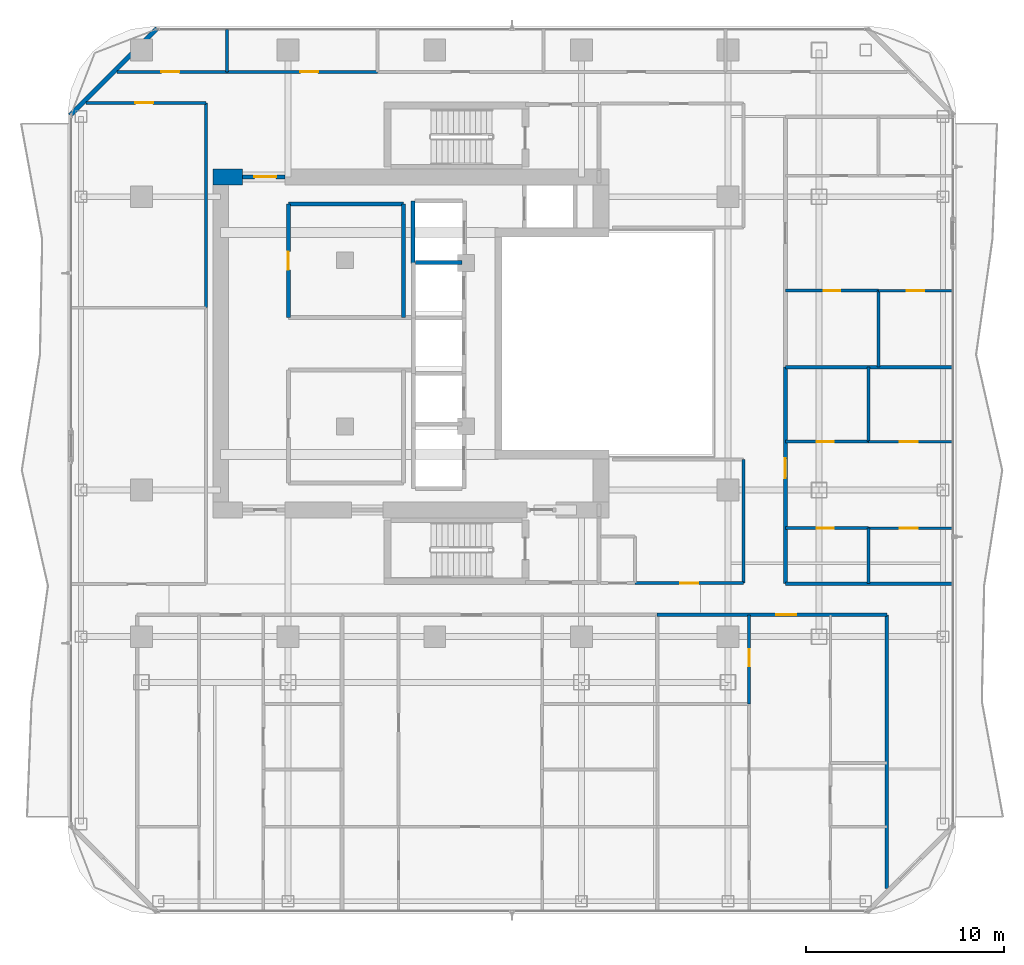
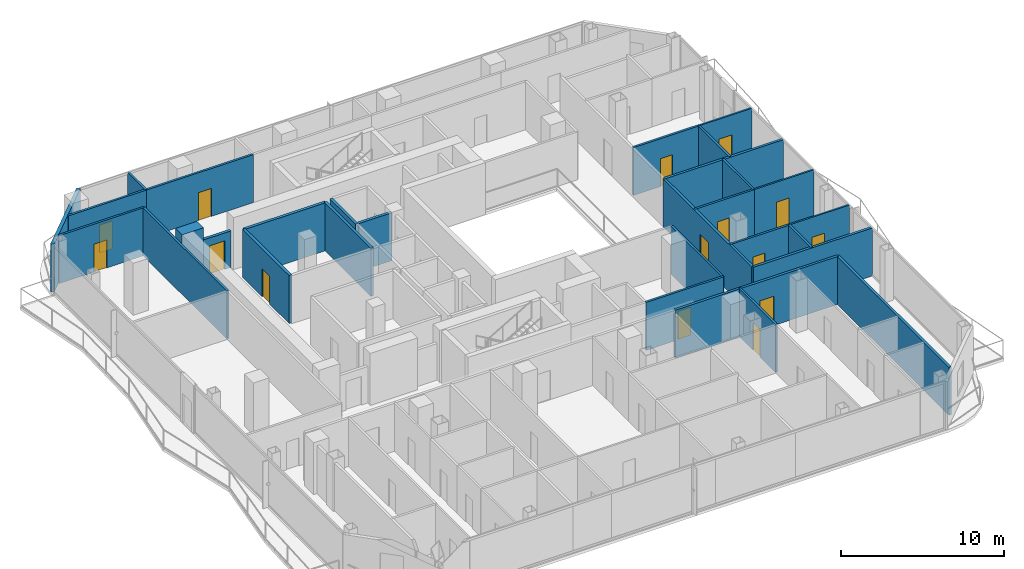
# One storey, part 22 of 27: 30 walls, 15 doors, 15 openings.
"""IFC4 building model written with IfcOpenShell, lengths in metres."""

from ifc_helpers import new_model, si_unit, direction, frame, frame_2d, origin, place, context, subcontext, project, spatial, rectangle, extrude, material, layer, layer_set, type_object, element, fill, save


model = new_model("IFC4")

# Units and contexts
model_context = context("Model", 3, precision=1e-05, world=origin(), true_north=direction((0.0, 1.0)))
body_context = subcontext(model_context, "Body", "Model", "MODEL_VIEW")
ifc_project = project(units=[si_unit("LENGTHUNIT", "METRE"), si_unit("AREAUNIT", "SQUARE_METRE"), si_unit("VOLUMEUNIT", "CUBIC_METRE"), si_unit("PLANEANGLEUNIT", "RADIAN"), si_unit("MASSUNIT", "GRAM", prefix="KILO")], contexts=[model_context])

# Site, building, storey
site_placement = place(None, origin())
site = spatial("IfcSite", under=ifc_project, at=site_placement, CompositionType="ELEMENT")
building_placement = place(site_placement, origin())
building = spatial("IfcBuilding", under=site, at=building_placement, Name="Khorvyn Point Tower", CompositionType="ELEMENT")
storey_placement = place(building_placement, frame((0.0, 0.0, 231.300048828125)))
storey = spatial("IfcBuildingStorey", under=building, at=storey_placement, Name="L57", CompositionType="ELEMENT", Elevation=231.300048828125)

# Wall, opening, door
ifc_material_1 = material(Name="Double acoustic gypsum on twin steel stud", Category="steel")
ifc_layer_1 = layer(ifc_material_1, 0.179931640625)
ifc_layer_set_1 = layer_set([ifc_layer_1], Name="Acoustic Double-Stud Apartment Demising Wall 180")
wall_type_1 = type_object("IfcWallType", Name="Acoustic Double-Stud Apartment Demising Wall 180", PredefinedType="PARTITIONING", material=ifc_layer_set_1)
wall_1_placement = place(storey_placement, frame((11.22802734375, -13.699951171875, 0.0), z_axis=(0.0, 0.0, 1.0), x_axis=(1.0, 0.0, 0.0)))
wall_1 = element("IfcWall", 1, at=wall_1_placement, inside=storey, type_object=wall_type_1, Name="Wall", PredefinedType="PARTITIONING", context=body_context, shape_type="SweptSolid", body=[
    extrude(rectangle(XDim=11.592041015625, YDim=0.179931640625, at=frame_2d((5.7958984375, 0.0))), origin(), (0.0, 0.0, 1.0), 3.599853515625),
])
opening_1_placement = place(wall_1_placement, frame((6.00439453125, 0.0, 0.0)))
opening_1 = element("IfcOpeningElement", 2, at=opening_1_placement, cuts=wall_1, Name="Opening ID-AP60", PredefinedType="OPENING", context=body_context, shape_type="SweptSolid", body=[
    extrude(rectangle(XDim=1.0, YDim=2.199951171875, at=frame_2d((0.5, 1.10009765625))), frame((0.0, 0.099853515625, 0.0), z_axis=(0.0, -1.0, 0.0), x_axis=(1.0, 0.0, 0.0)), (0.0, 0.0, 1.0), 0.199951171875),
])
ifc_material_2 = material(Name="Engineered hardwood fire-rated leaf", Category="wood")
door_type_1 = type_object("IfcDoorType", Name="Acoustic Solid-Core Timber Apartment Entrance Door 1000x2200", OperationType="NOTDEFINED", PredefinedType="DOOR", material=ifc_material_2)
door_1_placement = place(opening_1_placement, origin())
door_1 = element("IfcDoor", 3, at=door_1_placement, inside=storey, type_object=door_type_1, Name="Door", OperationType="SINGLE_SWING_LEFT", OverallHeight=2.199951171875, OverallWidth=1.0, PredefinedType="DOOR", context=body_context, shape_type="SweptSolid", body=[
    extrude(rectangle(XDim=1.0, YDim=2.199951171875, at=frame_2d((0.5, 1.10009765625))), frame((0.0, 0.02490234375, 0.0), z_axis=(0.0, -1.0, 0.0), x_axis=(1.0, 0.0, 0.0)), (0.0, 0.0, 1.0), 0.050048828125),
])
fill(opening_1, door_1)

wall_2_placement = place(storey_placement, frame((17.699951171875, -12.1201171875, 0.0), z_axis=(0.0, 0.0, 1.0), x_axis=(0.0, 1.0, 0.0)))
wall_2 = element("IfcWall", 4, at=wall_2_placement, inside=storey, type_object=wall_type_1, Name="Wall", PredefinedType="PARTITIONING", context=body_context, shape_type="SweptSolid", body=[
    extrude(rectangle(XDim=10.927001953125, YDim=0.179931640625, at=frame_2d((5.46337890625, 0.0))), origin(), (0.0, 0.0, 1.0), 3.599853515625),
])
opening_2_placement = place(wall_2_placement, frame((5.3193359375, 0.0, 0.0)))
opening_2 = element("IfcOpeningElement", 5, at=opening_2_placement, cuts=wall_2, Name="Opening ID-AP60", PredefinedType="OPENING", context=body_context, shape_type="SweptSolid", body=[
    extrude(rectangle(XDim=1.0, YDim=2.199951171875, at=frame_2d((0.5, 1.10009765625))), frame((0.0, 0.099853515625, 0.0), z_axis=(0.0, -1.0, 0.0), x_axis=(1.0, 0.0, 0.0)), (0.0, 0.0, 1.0), 0.199951171875),
])
door_2_placement = place(opening_2_placement, origin())
door_2 = element("IfcDoor", 6, at=door_2_placement, inside=storey, type_object=door_type_1, Name="Door", OperationType="SINGLE_SWING_RIGHT", OverallHeight=2.199951171875, OverallWidth=1.0, PredefinedType="DOOR", context=body_context, shape_type="SweptSolid", body=[
    extrude(rectangle(XDim=1.0, YDim=2.199951171875, at=frame_2d((0.5, 1.10009765625))), frame((0.0, 0.02490234375, 0.0), z_axis=(0.0, -1.0, 0.0), x_axis=(1.0, 0.0, 0.0)), (0.0, 0.0, 1.0), 0.050048828125),
])
fill(opening_2, door_2)

# Walls
wall_3_placement = place(storey_placement, frame((22.820068359375, -27.510009765625, 0.0), z_axis=(0.0, 0.0, 1.0), x_axis=(0.0, 1.0, 0.0)))
element("IfcWall", 7, at=wall_3_placement, inside=storey, type_object=wall_type_1, Name="Wall", PredefinedType="PARTITIONING", context=body_context, shape_type="SweptSolid", body=[
    extrude(rectangle(XDim=13.81005859375, YDim=0.179931640625, at=frame_2d((6.905029296875, 0.0))), origin(), (0.0, 0.0, 1.0), 3.599853515625),
])
for number, where, z_axis, x_axis, name in (
    (8, (17.699951171875, -1.193115234375, 0.0), (0.0, 0.0, 1.0), (1.0, 0.0, 0.0), "Wall"),
    (9, (17.699951171875, -12.1201171875, 0.0), (0.0, 0.0, 1.0), (1.0, 0.0, 0.0), "Wall"),
):
    element("IfcWall", number, at=place(storey_placement, frame(where, z_axis=z_axis, x_axis=x_axis)), inside=storey, type_object=wall_type_1, Name=name, PredefinedType="PARTITIONING", context=body_context, shape_type="SweptSolid", body=[
        extrude(rectangle(XDim=8.429931640625, YDim=0.179931640625, at=frame_2d((4.21484375, 0.0))), origin(), (0.0, 0.0, 1.0), 3.599853515625),
    ])
ifc_material_3 = material(Name="Pale anodised aluminium rainscreen on steel stud", Category="steel")
ifc_layer_2 = layer(ifc_material_3, 0.239990234375)
ifc_layer_set_2 = layer_set([ifc_layer_2], Name="Anodised Aluminium Insulated Corner Spandrel Wall 240")
wall_type_2 = type_object("IfcWallType", Name="Anodised Aluminium Insulated Corner Spandrel Wall 240", PredefinedType="SOLIDWALL", material=ifc_layer_set_2)
wall_4_placement = place(storey_placement, frame((-18.392333984375, 11.507568359375, 0.0), z_axis=(0.0, 0.0, 1.0), x_axis=(0.707106781187, 0.707106781187, 0.0)))
element("IfcWall", 10, at=wall_4_placement, inside=storey, type_object=wall_type_2, Name="L57 Rounded Corner Wall NW", PredefinedType="SOLIDWALL", context=body_context, shape_type="SweptSolid", body=[
    extrude(rectangle(XDim=6.200927734375, YDim=0.239990234375, at=frame_2d((3.1005859375, 0.0))), origin(), (0.0, 0.0, 1.0), 3.599853515625),
])

# Wall, opening, door
ifc_material_4 = material(Name="Concrete C40/50", Category="concrete")
ifc_layer_3 = layer(ifc_material_4, 0.199951171875)
ifc_layer_set_3 = layer_set([ifc_layer_3], Name="Concrete C40/50 Fire-Lobby Compartment Wall 200")
wall_type_3 = type_object("IfcWallType", Name="Concrete C40/50 Fire-Lobby Compartment Wall 200", PredefinedType="SOLIDWALL", material=ifc_layer_set_3)
wall_5_placement = place(storey_placement, frame((-9.699951171875, 8.39990234375, 0.0), z_axis=(0.0, 0.0, 1.0), x_axis=(1.0, 0.0, 0.0)))
wall_5 = element("IfcWall", 11, at=wall_5_placement, inside=storey, type_object=wall_type_3, Name="Wall", PredefinedType="SOLIDWALL", context=body_context, shape_type="SweptSolid", body=[
    extrude(rectangle(XDim=2.14990234375, YDim=0.199951171875, at=frame_2d((1.074951171875, 0.0))), origin(), (0.0, 0.0, 1.0), 2.739990234375),
])
opening_3_placement = place(wall_5_placement, frame((0.597900390625, 0.0, 0.0)))
opening_3 = element("IfcOpeningElement", 12, at=opening_3_placement, cuts=wall_5, Name="Opening ID-FL90", PredefinedType="OPENING", context=body_context, shape_type="SweptSolid", body=[
    extrude(rectangle(XDim=1.10009765625, YDim=2.14990234375, at=frame_2d((0.550048828125, 1.074951171875))), frame((0.0, 0.10986328125, 0.0), z_axis=(0.0, -1.0, 0.0), x_axis=(1.0, 0.0, 0.0)), (0.0, 0.0, 1.0), 0.219970703125),
])
ifc_material_5 = material(Name="Galvanised powder-coated steel", Category="steel")
door_type_2 = type_object("IfcDoorType", Name="Fire-Rated Steel Lobby and Stair Door 1100x2150", OperationType="NOTDEFINED", PredefinedType="DOOR", material=ifc_material_5)
door_3_placement = place(opening_3_placement, origin())
door_3 = element("IfcDoor", 13, at=door_3_placement, inside=storey, type_object=door_type_2, Name="Door", OperationType="SINGLE_SWING_LEFT", OverallHeight=2.14990234375, OverallWidth=1.10009765625, PredefinedType="DOOR", context=body_context, shape_type="SweptSolid", body=[
    extrude(rectangle(XDim=1.10009765625, YDim=2.14990234375, at=frame_2d((0.550048828125, 1.074951171875))), frame((0.0, 0.02490234375, 0.0), z_axis=(0.0, -1.0, 0.0), x_axis=(1.0, 0.0, 0.0)), (0.0, 0.0, 1.0), 0.050048828125),
])
fill(opening_3, door_3)

wall_6_placement = place(storey_placement, frame((-7.3798828125, 1.300048828125, 0.0), z_axis=(0.0, 0.0, 1.0), x_axis=(0.0, 1.0, 0.0)))
wall_6 = element("IfcWall", 14, at=wall_6_placement, inside=storey, type_object=wall_type_3, Name="Wall", PredefinedType="SOLIDWALL", context=body_context, shape_type="SweptSolid", body=[
    extrude(rectangle(XDim=5.739990234375, YDim=0.199951171875, at=frame_2d((2.8701171875, 0.0))), origin(), (0.0, 0.0, 1.0), 3.599853515625),
])
opening_4_placement = place(wall_6_placement, frame((2.409912109375, 0.0, 0.0)))
opening_4 = element("IfcOpeningElement", 15, at=opening_4_placement, cuts=wall_6, Name="Opening ID-RS60", PredefinedType="OPENING", context=body_context, shape_type="SweptSolid", body=[
    extrude(rectangle(XDim=0.919921875, YDim=2.10009765625, at=frame_2d((0.4599609375, 1.050048828125))), frame((0.0, 0.10986328125, 0.0), z_axis=(0.0, -1.0, 0.0), x_axis=(1.0, 0.0, 0.0)), (0.0, 0.0, 1.0), 0.219970703125),
])
door_type_3 = type_object("IfcDoorType", Name="Fire-Rated Riser and Store Steel Door 920x2100", OperationType="NOTDEFINED", PredefinedType="DOOR", material=ifc_material_5)
door_4_placement = place(opening_4_placement, origin())
door_4 = element("IfcDoor", 16, at=door_4_placement, inside=storey, type_object=door_type_3, Name="Door", OperationType="SINGLE_SWING_LEFT", OverallHeight=2.10009765625, OverallWidth=0.919921875, PredefinedType="DOOR", context=body_context, shape_type="SweptSolid", body=[
    extrude(rectangle(XDim=0.919921875, YDim=2.10009765625, at=frame_2d((0.4599609375, 1.050048828125))), frame((0.0, 0.02490234375, 0.0), z_axis=(0.0, -1.0, 0.0), x_axis=(1.0, 0.0, 0.0)), (0.0, 0.0, 1.0), 0.050048828125),
])
fill(opening_4, door_4)

# Walls
wall_7_placement = place(storey_placement, frame((-1.580078125, 1.300048828125, 0.0), z_axis=(0.0, 0.0, 1.0), x_axis=(0.0, 1.0, 0.0)))
element("IfcWall", 17, at=wall_7_placement, inside=storey, type_object=wall_type_3, Name="Wall", PredefinedType="SOLIDWALL", context=body_context, shape_type="SweptSolid", body=[
    extrude(rectangle(XDim=5.739990234375, YDim=0.199951171875, at=frame_2d((2.8701171875, 0.0))), origin(), (0.0, 0.0, 1.0), 3.599853515625),
])
wall_8_placement = place(storey_placement, frame((-7.3798828125, 7.0400390625, 0.0), z_axis=(0.0, 0.0, 1.0), x_axis=(1.0, 0.0, 0.0)))
element("IfcWall", 18, at=wall_8_placement, inside=storey, type_object=wall_type_3, Name="Wall", PredefinedType="SOLIDWALL", context=body_context, shape_type="SweptSolid", body=[
    extrude(rectangle(XDim=5.7998046875, YDim=0.199951171875, at=frame_2d((2.89990234375, 0.0))), origin(), (0.0, 0.0, 1.0), 3.599853515625),
])
ifc_layer_4 = layer(ifc_material_4, 0.199951171875)
ifc_layer_set_4 = layer_set([ifc_layer_4], Name="Concrete C40/50 Structural Hoistway and Stair Shaft Wall 200")
wall_type_4 = type_object("IfcWallType", Name="Concrete C40/50 Structural Hoistway and Stair Shaft Wall 200", PredefinedType="SHEAR", material=ifc_layer_set_4)
wall_9_placement = place(storey_placement, frame((-0.97509765625, 4.074951171875, 0.0), z_axis=(0.0, 0.0, 1.0), x_axis=(1.0, 0.0, 0.0)))
element("IfcWall", 19, at=wall_9_placement, inside=storey, type_object=wall_type_4, Name="Wall", PredefinedType="SHEAR", context=body_context, shape_type="SweptSolid", body=[
    extrude(rectangle(XDim=2.35009765625, YDim=0.199951171875, at=frame_2d((1.175048828125, 0.0))), origin(), (0.0, 0.0, 1.0), 3.599853515625),
])
wall_10_placement = place(storey_placement, frame((-1.10009765625, 4.02490234375, 0.0), z_axis=(0.0, 0.0, 1.0), x_axis=(0.0, 1.0, 0.0)))
element("IfcWall", 20, at=wall_10_placement, inside=storey, type_object=wall_type_4, Name="Wall", PredefinedType="SHEAR", context=body_context, shape_type="SweptSolid", body=[
    extrude(rectangle(XDim=3.150146484375, YDim=0.199951171875, at=frame_2d((1.5751953125, 0.0))), origin(), (0.0, 0.0, 1.0), 3.599853515625),
])
ifc_material_6 = material(Name="Concrete C45/55", Category="concrete")
ifc_layer_5 = layer(ifc_material_6, 0.800048828125)
ifc_layer_set_5 = layer_set([ifc_layer_5], Name="Concrete C45/55 Core Shear Wall 800")
wall_type_5 = type_object("IfcWallType", Name="Concrete C45/55 Core Shear Wall 800", PredefinedType="SHEAR", material=ifc_layer_set_5)
wall_11_placement = place(storey_placement, frame((-11.199951171875, 8.39990234375, 0.0), z_axis=(0.0, 0.0, 1.0), x_axis=(1.0, 0.0, 0.0)))
element("IfcWall", 21, at=wall_11_placement, inside=storey, type_object=wall_type_5, Name="Wall", PredefinedType="SHEAR", context=body_context, shape_type="SweptSolid", body=[
    extrude(rectangle(XDim=1.5, YDim=0.800048828125, at=frame_2d((0.75, 0.0))), origin(), (0.0, 0.0, 1.0), 3.89990234375),
])

# Wall, opening, door
ifc_material_7 = material(Name="Gypsum plasterboard on steel stud", Category="steel")
ifc_layer_6 = layer(ifc_material_7, 0.1201171875)
ifc_layer_set_6 = layer_set([ifc_layer_6], Name="Gypsum Acoustic Stud Room Partition Wall 120")
wall_type_6 = type_object("IfcWallType", Name="Gypsum Acoustic Stud Room Partition Wall 120", PredefinedType="PARTITIONING", material=ifc_layer_set_6)
wall_12_placement = place(storey_placement, frame((21.889892578125, -9.320068359375, 0.0), z_axis=(0.0, 0.0, 1.0), x_axis=(1.0, 0.0, 0.0)))
wall_12 = element("IfcWall", 22, at=wall_12_placement, inside=storey, type_object=wall_type_6, Name="Wall", PredefinedType="PARTITIONING", context=body_context, shape_type="SweptSolid", body=[
    extrude(rectangle(XDim=4.239990234375, YDim=0.1201171875, at=frame_2d((2.1201171875, 0.0))), origin(), (0.0, 0.0, 1.0), 3.599853515625),
])
opening_5_placement = place(wall_12_placement, frame((1.581298828125, 0.0, 0.0)))
opening_5 = element("IfcOpeningElement", 23, at=opening_5_placement, cuts=wall_12, Name="Opening ID-RM90", PredefinedType="OPENING", context=body_context, shape_type="SweptSolid", body=[
    extrude(rectangle(XDim=0.89990234375, YDim=2.10009765625, at=frame_2d((0.449951171875, 1.050048828125))), frame((0.0, 0.070068359375, 0.0), z_axis=(0.0, -1.0, 0.0), x_axis=(1.0, 0.0, 0.0)), (0.0, 0.0, 1.0), 0.14013671875),
])
ifc_material_8 = material(Name="Engineered oak veneer timber", Category="wood")
door_type_4 = type_object("IfcDoorType", Name="Flush Engineered Timber Room Door 900x2100", OperationType="NOTDEFINED", PredefinedType="DOOR", material=ifc_material_8)
door_5_placement = place(opening_5_placement, origin())
door_5 = element("IfcDoor", 24, at=door_5_placement, inside=storey, type_object=door_type_4, Name="Door", OperationType="SINGLE_SWING_LEFT", OverallHeight=2.10009765625, OverallWidth=0.89990234375, PredefinedType="DOOR", context=body_context, shape_type="SweptSolid", body=[
    extrude(rectangle(XDim=0.89990234375, YDim=2.10009765625, at=frame_2d((0.449951171875, 1.050048828125))), frame((0.0, 0.02490234375, 0.0), z_axis=(0.0, -1.0, 0.0), x_axis=(1.0, 0.0, 0.0)), (0.0, 0.0, 1.0), 0.050048828125),
])
fill(opening_5, door_5)

wall_13_placement = place(storey_placement, frame((21.889892578125, -4.95703125, 0.0), z_axis=(0.0, 0.0, 1.0), x_axis=(1.0, 0.0, 0.0)))
wall_13 = element("IfcWall", 25, at=wall_13_placement, inside=storey, type_object=wall_type_6, Name="Wall", PredefinedType="PARTITIONING", context=body_context, shape_type="SweptSolid", body=[
    extrude(rectangle(XDim=4.239990234375, YDim=0.1201171875, at=frame_2d((2.1201171875, 0.0))), origin(), (0.0, 0.0, 1.0), 3.599853515625),
])
opening_6_placement = place(wall_13_placement, frame((1.581298828125, 0.0, 0.0)))
opening_6 = element("IfcOpeningElement", 26, at=opening_6_placement, cuts=wall_13, Name="Opening ID-RM90", PredefinedType="OPENING", context=body_context, shape_type="SweptSolid", body=[
    extrude(rectangle(XDim=0.89990234375, YDim=2.10009765625, at=frame_2d((0.449951171875, 1.050048828125))), frame((0.0, 0.070068359375, 0.0), z_axis=(0.0, -1.0, 0.0), x_axis=(1.0, 0.0, 0.0)), (0.0, 0.0, 1.0), 0.14013671875),
])
door_6_placement = place(opening_6_placement, origin())
door_6 = element("IfcDoor", 27, at=door_6_placement, inside=storey, type_object=door_type_4, Name="Door", OperationType="SINGLE_SWING_RIGHT", OverallHeight=2.10009765625, OverallWidth=0.89990234375, PredefinedType="DOOR", context=body_context, shape_type="SweptSolid", body=[
    extrude(rectangle(XDim=0.89990234375, YDim=2.10009765625, at=frame_2d((0.449951171875, 1.050048828125))), frame((0.0, 0.02490234375, 0.0), z_axis=(0.0, -1.0, 0.0), x_axis=(1.0, 0.0, 0.0)), (0.0, 0.0, 1.0), 0.050048828125),
])
fill(opening_6, door_6)

wall_14_placement = place(storey_placement, frame((22.39306640625, 2.6630859375, 0.0), z_axis=(0.0, 0.0, 1.0), x_axis=(1.0, 0.0, 0.0)))
wall_14 = element("IfcWall", 28, at=wall_14_placement, inside=storey, type_object=wall_type_6, Name="Wall", PredefinedType="PARTITIONING", context=body_context, shape_type="SweptSolid", body=[
    extrude(rectangle(XDim=3.73681640625, YDim=0.1201171875, at=frame_2d((1.868408203125, 0.0))), origin(), (0.0, 0.0, 1.0), 3.599853515625),
])
opening_7_placement = place(wall_14_placement, frame((1.41845703125, 0.0, 0.0)))
opening_7 = element("IfcOpeningElement", 29, at=opening_7_placement, cuts=wall_14, Name="Opening ID-RM90", PredefinedType="OPENING", context=body_context, shape_type="SweptSolid", body=[
    extrude(rectangle(XDim=0.89990234375, YDim=2.10009765625, at=frame_2d((0.449951171875, 1.050048828125))), frame((0.0, 0.070068359375, 0.0), z_axis=(0.0, -1.0, 0.0), x_axis=(1.0, 0.0, 0.0)), (0.0, 0.0, 1.0), 0.14013671875),
])
door_7_placement = place(opening_7_placement, origin())
door_7 = element("IfcDoor", 30, at=door_7_placement, inside=storey, type_object=door_type_4, Name="Door", OperationType="SINGLE_SWING_RIGHT", OverallHeight=2.10009765625, OverallWidth=0.89990234375, PredefinedType="DOOR", context=body_context, shape_type="SweptSolid", body=[
    extrude(rectangle(XDim=0.89990234375, YDim=2.10009765625, at=frame_2d((0.449951171875, 1.050048828125))), frame((0.0, 0.02490234375, 0.0), z_axis=(0.0, -1.0, 0.0), x_axis=(1.0, 0.0, 0.0)), (0.0, 0.0, 1.0), 0.050048828125),
])
fill(opening_7, door_7)

ifc_material_9 = material(Name="Moisture-resistant gypsum and cement board", Category="gypsum")
ifc_layer_7 = layer(ifc_material_9, 0.14990234375)
ifc_layer_set_7 = layer_set([ifc_layer_7], Name="Moisture-Resistant Wet-Room Partition Wall 150")
wall_type_7 = type_object("IfcWallType", Name="Moisture-Resistant Wet-Room Partition Wall 150", PredefinedType="PARTITIONING", material=ifc_layer_set_7)
wall_15_placement = place(storey_placement, frame((10.10009765625, -12.10009765625, 0.0), z_axis=(0.0, 0.0, 1.0), x_axis=(1.0, 0.0, 0.0)))
wall_15 = element("IfcWall", 31, at=wall_15_placement, inside=storey, type_object=wall_type_7, Name="Wall", PredefinedType="PARTITIONING", context=body_context, shape_type="SweptSolid", body=[
    extrude(rectangle(XDim=5.47998046875, YDim=0.14990234375, at=frame_2d((2.739990234375, 0.0))), origin(), (0.0, 0.0, 1.0), 3.599853515625),
])
opening_8_placement = place(wall_15_placement, frame((2.2900390625, 0.0, 0.0)))
opening_8 = element("IfcOpeningElement", 32, at=opening_8_placement, cuts=wall_15, Name="Opening ID-RM90", PredefinedType="OPENING", context=body_context, shape_type="SweptSolid", body=[
    extrude(rectangle(XDim=0.89990234375, YDim=2.10009765625, at=frame_2d((0.449951171875, 1.050048828125))), frame((0.0, 0.0849609375, 0.0), z_axis=(0.0, -1.0, 0.0), x_axis=(1.0, 0.0, 0.0)), (0.0, 0.0, 1.0), 0.169921875),
])
door_8_placement = place(opening_8_placement, origin())
door_8 = element("IfcDoor", 33, at=door_8_placement, inside=storey, type_object=door_type_4, Name="Door", OperationType="SINGLE_SWING_LEFT", OverallHeight=2.10009765625, OverallWidth=0.89990234375, PredefinedType="DOOR", context=body_context, shape_type="SweptSolid", body=[
    extrude(rectangle(XDim=0.89990234375, YDim=2.10009765625, at=frame_2d((0.449951171875, 1.050048828125))), frame((0.0, 0.02490234375, 0.0), z_axis=(0.0, -1.0, 0.0), x_axis=(1.0, 0.0, 0.0)), (0.0, 0.0, 1.0), 0.050048828125),
])
fill(opening_8, door_8)

wall_16_placement = place(storey_placement, frame((-16.030029296875, 13.699951171875, 0.0), z_axis=(0.0, 0.0, 1.0), x_axis=(1.0, 0.0, 0.0)))
wall_16 = element("IfcWall", 34, at=wall_16_placement, inside=storey, type_object=wall_type_7, Name="Wall", PredefinedType="PARTITIONING", context=body_context, shape_type="SweptSolid", body=[
    extrude(rectangle(XDim=5.552001953125, YDim=0.14990234375, at=frame_2d((2.77587890625, 0.0))), origin(), (0.0, 0.0, 1.0), 3.599853515625),
])
opening_9_placement = place(wall_16_placement, frame((2.239501953125, 0.0, 0.0)))
opening_9 = element("IfcOpeningElement", 35, at=opening_9_placement, cuts=wall_16, Name="Opening ID-RM90", PredefinedType="OPENING", context=body_context, shape_type="SweptSolid", body=[
    extrude(rectangle(XDim=0.89990234375, YDim=2.10009765625, at=frame_2d((0.449951171875, 1.050048828125))), frame((0.0, 0.0849609375, 0.0), z_axis=(0.0, -1.0, 0.0), x_axis=(1.0, 0.0, 0.0)), (0.0, 0.0, 1.0), 0.169921875),
])
door_9_placement = place(opening_9_placement, origin())
door_9 = element("IfcDoor", 36, at=door_9_placement, inside=storey, type_object=door_type_4, Name="Door", OperationType="SINGLE_SWING_LEFT", OverallHeight=2.10009765625, OverallWidth=0.89990234375, PredefinedType="DOOR", context=body_context, shape_type="SweptSolid", body=[
    extrude(rectangle(XDim=0.89990234375, YDim=2.10009765625, at=frame_2d((0.449951171875, 1.050048828125))), frame((0.0, 0.02490234375, 0.0), z_axis=(0.0, -1.0, 0.0), x_axis=(1.0, 0.0, 0.0)), (0.0, 0.0, 1.0), 0.050048828125),
])
fill(opening_9, door_9)

wall_17_placement = place(storey_placement, frame((-10.47802734375, 13.699951171875, 0.0), z_axis=(0.0, 0.0, 1.0), x_axis=(1.0, 0.0, 0.0)))
wall_17 = element("IfcWall", 37, at=wall_17_placement, inside=storey, type_object=wall_type_7, Name="Wall", PredefinedType="PARTITIONING", context=body_context, shape_type="SweptSolid", body=[
    extrude(rectangle(XDim=7.589111328125, YDim=0.14990234375, at=frame_2d((3.79443359375, 0.0))), origin(), (0.0, 0.0, 1.0), 3.599853515625),
])
opening_10_placement = place(wall_17_placement, frame((3.6982421875, 0.0, 0.0)))
opening_10 = element("IfcOpeningElement", 38, at=opening_10_placement, cuts=wall_17, Name="Opening ID-RM90", PredefinedType="OPENING", context=body_context, shape_type="SweptSolid", body=[
    extrude(rectangle(XDim=0.89990234375, YDim=2.10009765625, at=frame_2d((0.449951171875, 1.050048828125))), frame((0.0, 0.0849609375, 0.0), z_axis=(0.0, -1.0, 0.0), x_axis=(1.0, 0.0, 0.0)), (0.0, 0.0, 1.0), 0.169921875),
])
door_10_placement = place(opening_10_placement, origin())
door_10 = element("IfcDoor", 39, at=door_10_placement, inside=storey, type_object=door_type_4, Name="Door", OperationType="SINGLE_SWING_RIGHT", OverallHeight=2.10009765625, OverallWidth=0.89990234375, PredefinedType="DOOR", context=body_context, shape_type="SweptSolid", body=[
    extrude(rectangle(XDim=0.89990234375, YDim=2.10009765625, at=frame_2d((0.449951171875, 1.050048828125))), frame((0.0, 0.02490234375, 0.0), z_axis=(0.0, -1.0, 0.0), x_axis=(1.0, 0.0, 0.0)), (0.0, 0.0, 1.0), 0.050048828125),
])
fill(opening_10, door_10)

wall_18_placement = place(storey_placement, frame((15.864990234375, -18.18994140625, 0.0), z_axis=(0.0, 0.0, 1.0), x_axis=(0.0, 1.0, 0.0)))
wall_18 = element("IfcWall", 40, at=wall_18_placement, inside=storey, type_object=wall_type_7, Name="Wall", PredefinedType="PARTITIONING", context=body_context, shape_type="SweptSolid", body=[
    extrude(rectangle(XDim=4.489990234375, YDim=0.14990234375, at=frame_2d((2.2451171875, 0.0))), origin(), (0.0, 0.0, 1.0), 3.599853515625),
])
opening_11_placement = place(wall_18_placement, frame((1.907470703125, 0.0, 0.0)))
opening_11 = element("IfcOpeningElement", 41, at=opening_11_placement, cuts=wall_18, Name="Opening ID-WC85", PredefinedType="OPENING", context=body_context, shape_type="SweptSolid", body=[
    extrude(rectangle(XDim=0.85009765625, YDim=2.10009765625, at=frame_2d((0.425048828125, 1.050048828125))), frame((0.0, 0.0849609375, 0.0), z_axis=(0.0, -1.0, 0.0), x_axis=(1.0, 0.0, 0.0)), (0.0, 0.0, 1.0), 0.169921875),
])
ifc_material_10 = material(Name="High-pressure laminate on moisture-resistant core", Category="wood")
door_type_5 = type_object("IfcDoorType", Name="Moisture-Resistant Accessible Washroom Door 850x2100", OperationType="NOTDEFINED", PredefinedType="DOOR", material=ifc_material_10)
door_11_placement = place(opening_11_placement, origin())
door_11 = element("IfcDoor", 42, at=door_11_placement, inside=storey, type_object=door_type_5, Name="Door", OperationType="SINGLE_SWING_LEFT", OverallHeight=2.10009765625, OverallWidth=0.85009765625, PredefinedType="DOOR", context=body_context, shape_type="SweptSolid", body=[
    extrude(rectangle(XDim=0.85009765625, YDim=2.10009765625, at=frame_2d((0.425048828125, 1.050048828125))), frame((0.0, 0.02490234375, 0.0), z_axis=(0.0, -1.0, 0.0), x_axis=(1.0, 0.0, 0.0)), (0.0, 0.0, 1.0), 0.050048828125),
])
fill(opening_11, door_11)

wall_19_placement = place(storey_placement, frame((-17.590087890625, 12.139892578125, 0.0), z_axis=(0.0, 0.0, 1.0), x_axis=(1.0, 0.0, 0.0)))
wall_19 = element("IfcWall", 43, at=wall_19_placement, inside=storey, type_object=wall_type_7, Name="Wall", PredefinedType="PARTITIONING", context=body_context, shape_type="SweptSolid", body=[
    extrude(rectangle(XDim=6.0400390625, YDim=0.14990234375, at=frame_2d((3.02001953125, 0.0))), origin(), (0.0, 0.0, 1.0), 3.599853515625),
])
opening_12_placement = place(wall_19_placement, frame((2.480712890625, 0.0, 0.0)))
opening_12 = element("IfcOpeningElement", 44, at=opening_12_placement, cuts=wall_19, Name="Opening ID-RM90", PredefinedType="OPENING", context=body_context, shape_type="SweptSolid", body=[
    extrude(rectangle(XDim=0.89990234375, YDim=2.10009765625, at=frame_2d((0.449951171875, 1.050048828125))), frame((0.0, 0.0849609375, 0.0), z_axis=(0.0, -1.0, 0.0), x_axis=(1.0, 0.0, 0.0)), (0.0, 0.0, 1.0), 0.169921875),
])
door_12_placement = place(opening_12_placement, origin())
door_12 = element("IfcDoor", 45, at=door_12_placement, inside=storey, type_object=door_type_4, Name="Door", OperationType="SINGLE_SWING_LEFT", OverallHeight=2.10009765625, OverallWidth=0.89990234375, PredefinedType="DOOR", context=body_context, shape_type="SweptSolid", body=[
    extrude(rectangle(XDim=0.89990234375, YDim=2.10009765625, at=frame_2d((0.449951171875, 1.050048828125))), frame((0.0, 0.02490234375, 0.0), z_axis=(0.0, -1.0, 0.0), x_axis=(1.0, 0.0, 0.0)), (0.0, 0.0, 1.0), 0.050048828125),
])
fill(opening_12, door_12)

wall_20_placement = place(storey_placement, frame((17.699951171875, -4.95703125, 0.0), z_axis=(0.0, 0.0, 1.0), x_axis=(1.0, 0.0, 0.0)))
wall_20 = element("IfcWall", 46, at=wall_20_placement, inside=storey, type_object=wall_type_7, Name="Wall", PredefinedType="PARTITIONING", context=body_context, shape_type="SweptSolid", body=[
    extrude(rectangle(XDim=4.18994140625, YDim=0.14990234375, at=frame_2d((2.094970703125, 0.0))), origin(), (0.0, 0.0, 1.0), 3.599853515625),
])
opening_13_placement = place(wall_20_placement, frame((1.581298828125, 0.0, 0.0)))
opening_13 = element("IfcOpeningElement", 47, at=opening_13_placement, cuts=wall_20, Name="Opening ID-WC85", PredefinedType="OPENING", context=body_context, shape_type="SweptSolid", body=[
    extrude(rectangle(XDim=0.85009765625, YDim=2.10009765625, at=frame_2d((0.425048828125, 1.050048828125))), frame((0.0, 0.0849609375, 0.0), z_axis=(0.0, -1.0, 0.0), x_axis=(1.0, 0.0, 0.0)), (0.0, 0.0, 1.0), 0.169921875),
])
door_13_placement = place(opening_13_placement, origin())
door_13 = element("IfcDoor", 48, at=door_13_placement, inside=storey, type_object=door_type_5, Name="Door", OperationType="SINGLE_SWING_LEFT", OverallHeight=2.10009765625, OverallWidth=0.85009765625, PredefinedType="DOOR", context=body_context, shape_type="SweptSolid", body=[
    extrude(rectangle(XDim=0.85009765625, YDim=2.10009765625, at=frame_2d((0.425048828125, 1.050048828125))), frame((0.0, 0.02490234375, 0.0), z_axis=(0.0, -1.0, 0.0), x_axis=(1.0, 0.0, 0.0)), (0.0, 0.0, 1.0), 0.050048828125),
])
fill(opening_13, door_13)

wall_21_placement = place(storey_placement, frame((17.699951171875, -9.320068359375, 0.0), z_axis=(0.0, 0.0, 1.0), x_axis=(1.0, 0.0, 0.0)))
wall_21 = element("IfcWall", 49, at=wall_21_placement, inside=storey, type_object=wall_type_7, Name="Wall", PredefinedType="PARTITIONING", context=body_context, shape_type="SweptSolid", body=[
    extrude(rectangle(XDim=4.18994140625, YDim=0.14990234375, at=frame_2d((2.094970703125, 0.0))), origin(), (0.0, 0.0, 1.0), 3.599853515625),
])
opening_14_placement = place(wall_21_placement, frame((1.581298828125, 0.0, 0.0)))
opening_14 = element("IfcOpeningElement", 50, at=opening_14_placement, cuts=wall_21, Name="Opening ID-WC85", PredefinedType="OPENING", context=body_context, shape_type="SweptSolid", body=[
    extrude(rectangle(XDim=0.85009765625, YDim=2.10009765625, at=frame_2d((0.425048828125, 1.050048828125))), frame((0.0, 0.0849609375, 0.0), z_axis=(0.0, -1.0, 0.0), x_axis=(1.0, 0.0, 0.0)), (0.0, 0.0, 1.0), 0.169921875),
])
door_14_placement = place(opening_14_placement, origin())
door_14 = element("IfcDoor", 51, at=door_14_placement, inside=storey, type_object=door_type_5, Name="Door", OperationType="SINGLE_SWING_RIGHT", OverallHeight=2.10009765625, OverallWidth=0.85009765625, PredefinedType="DOOR", context=body_context, shape_type="SweptSolid", body=[
    extrude(rectangle(XDim=0.85009765625, YDim=2.10009765625, at=frame_2d((0.425048828125, 1.050048828125))), frame((0.0, 0.02490234375, 0.0), z_axis=(0.0, -1.0, 0.0), x_axis=(1.0, 0.0, 0.0)), (0.0, 0.0, 1.0), 0.050048828125),
])
fill(opening_14, door_14)

wall_22_placement = place(storey_placement, frame((17.699951171875, 2.6630859375, 0.0), z_axis=(0.0, 0.0, 1.0), x_axis=(1.0, 0.0, 0.0)))
wall_22 = element("IfcWall", 52, at=wall_22_placement, inside=storey, type_object=wall_type_7, Name="Wall", PredefinedType="PARTITIONING", context=body_context, shape_type="SweptSolid", body=[
    extrude(rectangle(XDim=4.693115234375, YDim=0.14990234375, at=frame_2d((2.3466796875, 0.0))), origin(), (0.0, 0.0, 1.0), 3.599853515625),
])
opening_15_placement = place(wall_22_placement, frame((1.92138671875, 0.0, 0.0)))
opening_15 = element("IfcOpeningElement", 53, at=opening_15_placement, cuts=wall_22, Name="Opening ID-WC85", PredefinedType="OPENING", context=body_context, shape_type="SweptSolid", body=[
    extrude(rectangle(XDim=0.85009765625, YDim=2.10009765625, at=frame_2d((0.425048828125, 1.050048828125))), frame((0.0, 0.0849609375, 0.0), z_axis=(0.0, -1.0, 0.0), x_axis=(1.0, 0.0, 0.0)), (0.0, 0.0, 1.0), 0.169921875),
])
door_15_placement = place(opening_15_placement, origin())
door_15 = element("IfcDoor", 54, at=door_15_placement, inside=storey, type_object=door_type_5, Name="Door", OperationType="SINGLE_SWING_LEFT", OverallHeight=2.10009765625, OverallWidth=0.85009765625, PredefinedType="DOOR", context=body_context, shape_type="SweptSolid", body=[
    extrude(rectangle(XDim=0.85009765625, YDim=2.10009765625, at=frame_2d((0.425048828125, 1.050048828125))), frame((0.0, 0.02490234375, 0.0), z_axis=(0.0, -1.0, 0.0), x_axis=(1.0, 0.0, 0.0)), (0.0, 0.0, 1.0), 0.050048828125),
])
fill(opening_15, door_15)

# Walls
wall_23_placement = place(storey_placement, frame((15.580078125, -12.10009765625, 0.0), z_axis=(0.0, 0.0, 1.0), x_axis=(0.0, 1.0, 0.0)))
element("IfcWall", 55, at=wall_23_placement, inside=storey, type_object=wall_type_7, Name="Wall", PredefinedType="PARTITIONING", context=body_context, shape_type="SweptSolid", body=[
    extrude(rectangle(XDim=6.25, YDim=0.14990234375, at=frame_2d((3.125, 0.0))), origin(), (0.0, 0.0, 1.0), 3.599853515625),
])
wall_24_placement = place(storey_placement, frame((-10.47802734375, 13.699951171875, 0.0), z_axis=(0.0, 0.0, 1.0), x_axis=(0.0, 1.0, 0.0)))
element("IfcWall", 56, at=wall_24_placement, inside=storey, type_object=wall_type_7, Name="Wall", PredefinedType="PARTITIONING", context=body_context, shape_type="SweptSolid", body=[
    extrude(rectangle(XDim=2.130126953125, YDim=0.14990234375, at=frame_2d((1.06494140625, 0.0))), origin(), (0.0, 0.0, 1.0), 3.599853515625),
])
wall_25_placement = place(storey_placement, frame((-11.550048828125, 1.800048828125, 0.0), z_axis=(0.0, 0.0, 1.0), x_axis=(0.0, 1.0, 0.0)))
element("IfcWall", 57, at=wall_25_placement, inside=storey, type_object=wall_type_7, Name="Wall", PredefinedType="PARTITIONING", context=body_context, shape_type="SweptSolid", body=[
    extrude(rectangle(XDim=10.33984375, YDim=0.14990234375, at=frame_2d((5.169921875, 0.0))), origin(), (0.0, 0.0, 1.0), 3.599853515625),
])
wall_26_placement = place(storey_placement, frame((21.889892578125, -12.1201171875, 0.0), z_axis=(0.0, 0.0, 1.0), x_axis=(0.0, 1.0, 0.0)))
element("IfcWall", 58, at=wall_26_placement, inside=storey, type_object=wall_type_7, Name="Wall", PredefinedType="PARTITIONING", context=body_context, shape_type="SweptSolid", body=[
    extrude(rectangle(XDim=2.800048828125, YDim=0.14990234375, at=frame_2d((1.39990234375, 0.0))), origin(), (0.0, 0.0, 1.0), 3.599853515625),
])
wall_27_placement = place(storey_placement, frame((21.889892578125, -4.95703125, 0.0), z_axis=(0.0, 0.0, 1.0), x_axis=(0.0, 1.0, 0.0)))
element("IfcWall", 59, at=wall_27_placement, inside=storey, type_object=wall_type_7, Name="Wall", PredefinedType="PARTITIONING", context=body_context, shape_type="SweptSolid", body=[
    extrude(rectangle(XDim=3.763916015625, YDim=0.14990234375, at=frame_2d((1.8818359375, 0.0))), origin(), (0.0, 0.0, 1.0), 3.599853515625),
])
wall_28_placement = place(storey_placement, frame((22.39306640625, -1.193115234375, 0.0), z_axis=(0.0, 0.0, 1.0), x_axis=(0.0, 1.0, 0.0)))
element("IfcWall", 60, at=wall_28_placement, inside=storey, type_object=wall_type_7, Name="Wall", PredefinedType="PARTITIONING", context=body_context, shape_type="SweptSolid", body=[
    extrude(rectangle(XDim=3.856201171875, YDim=0.14990234375, at=frame_2d((1.92822265625, 0.0))), origin(), (0.0, 0.0, 1.0), 3.599853515625),
])

save(model, "model.ifc")
